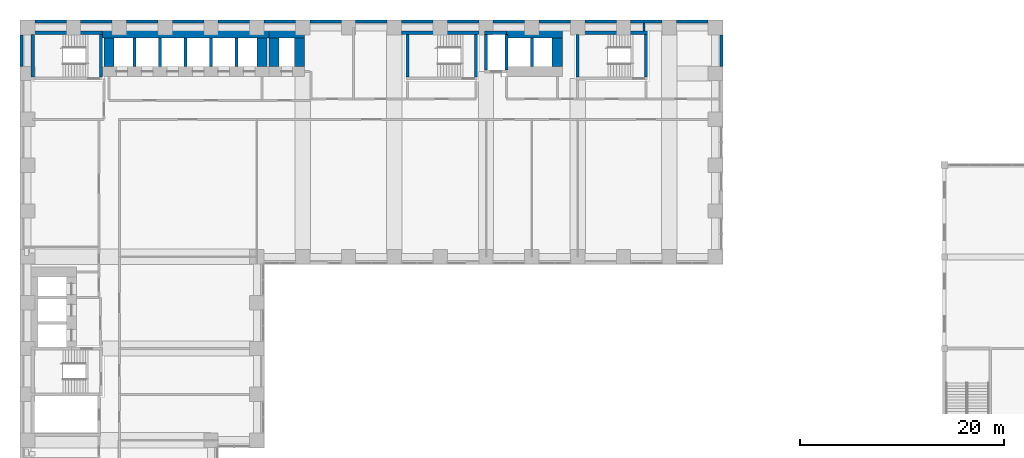
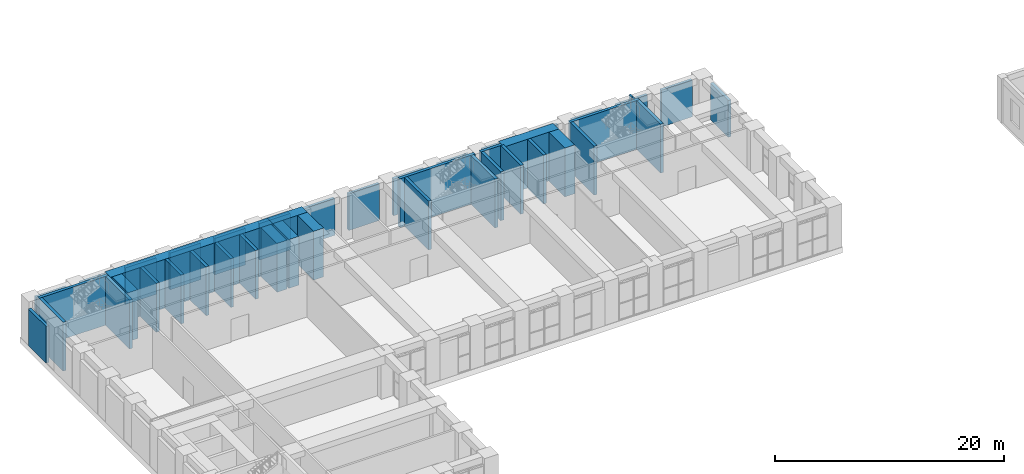
# One storey, part 21 of 30: 45 walls.
"""IFC4 building model written with IfcOpenShell, lengths in metres."""

from ifc_helpers import new_model, si_unit, direction, frame, frame_2d, origin, place, context, subcontext, project, spatial, rectangle, extrude, material, layer, layer_set, type_object, element, save


model = new_model("IFC4")

# Units and contexts
model_context = context("Model", 3, precision=1e-05, world=origin(), true_north=direction((0.0, 1.0)))
body_context = subcontext(model_context, "Body", "Model", "MODEL_VIEW")
ifc_project = project(units=[si_unit("LENGTHUNIT", "METRE"), si_unit("AREAUNIT", "SQUARE_METRE"), si_unit("VOLUMEUNIT", "CUBIC_METRE"), si_unit("PLANEANGLEUNIT", "RADIAN"), si_unit("MASSUNIT", "GRAM", prefix="KILO")], contexts=[model_context])

# Site, building, storey
site_placement = place(None, origin())
site = spatial("IfcSite", under=ifc_project, at=site_placement, CompositionType="ELEMENT")
building_placement = place(site_placement, origin())
building = spatial("IfcBuilding", under=site, at=building_placement, Name="Firuza Court", CompositionType="ELEMENT")
storey_placement = place(building_placement, frame((0.0, 0.0, 9.0)))
storey = spatial("IfcBuildingStorey", under=building, at=storey_placement, Name="L01", CompositionType="ELEMENT", Elevation=9.0)

# Walls
ifc_material_1 = material(Name="Concrete C60/75", Category="concrete")
ifc_layer_1 = layer(ifc_material_1, 1.0)
ifc_layer_set_1 = layer_set([ifc_layer_1], Name="Concrete C60/75")
wall_type_1 = type_object("IfcWallType", Name="Core wall 1000 C60/75", PredefinedType="SHEAR", material=ifc_layer_set_1)
wall_1_placement = place(storey_placement, frame((7.35009765625, 58.0, -0.60009765625), z_axis=(0.0, 0.0, 1.0), x_axis=(1.0, 0.0, 0.0)))
element("IfcWall", 1, at=wall_1_placement, inside=storey, type_object=wall_type_1, Name="Core wall lift shaft L01", PredefinedType="SHEAR", context=body_context, shape_type="SweptSolid", body=[
    extrude(rectangle(XDim=16.349853515625, YDim=1.0, at=frame_2d((8.1748046875, 0.0))), origin(), (0.0, 0.0, 1.0), 5.2001953125),
])
for number, where, z_axis, x_axis, name in (
    (2, (8.0, 54.699951171875, -0.60009765625), (0.0, 0.0, 1.0), (0.0, 1.0, 0.0), "Core wall lift shaft L01"),
    (3, (23.0, 54.699951171875, -0.60009765625), (0.0, 0.0, 1.0), (0.0, 1.0, 0.0), "Core wall lift shaft L01"),
):
    element("IfcWall", number, at=place(storey_placement, frame(where, z_axis=z_axis, x_axis=x_axis)), inside=storey, type_object=wall_type_1, Name=name, PredefinedType="SHEAR", context=body_context, shape_type="SweptSolid", body=[
        extrude(rectangle(XDim=2.800048828125, YDim=1.0, at=frame_2d((1.39990234375, 0.0))), origin(), (0.0, 0.0, 1.0), 5.2001953125),
    ])
wall_2_placement = place(storey_placement, frame((23.699951171875, 58.0, -0.60009765625), z_axis=(0.0, 0.0, 1.0), x_axis=(1.0, 0.0, 0.0)))
element("IfcWall", 4, at=wall_2_placement, inside=storey, type_object=wall_type_1, Name="Core wall lift shaft L01", PredefinedType="SHEAR", context=body_context, shape_type="SweptSolid", body=[
    extrude(rectangle(XDim=3.5, YDim=1.0, at=frame_2d((1.75, 0.0))), origin(), (0.0, 0.0, 1.0), 5.2001953125),
])
for number, where, z_axis, x_axis, name in (
    (5, (24.199951171875, 54.699951171875, -0.60009765625), (0.0, 0.0, 1.0), (0.0, 1.0, 0.0), "Core wall lift shaft L01"),
    (6, (26.699951171875, 54.699951171875, -0.60009765625), (0.0, 0.0, 1.0), (0.0, 1.0, 0.0), "Core wall lift shaft L01"),
):
    element("IfcWall", number, at=place(storey_placement, frame(where, z_axis=z_axis, x_axis=x_axis)), inside=storey, type_object=wall_type_1, Name=name, PredefinedType="SHEAR", context=body_context, shape_type="SweptSolid", body=[
        extrude(rectangle(XDim=2.800048828125, YDim=1.0, at=frame_2d((1.39990234375, 0.0))), origin(), (0.0, 0.0, 1.0), 5.2001953125),
    ])
wall_3_placement = place(storey_placement, frame((47.0, 58.0, -0.60009765625), z_axis=(0.0, 0.0, 1.0), x_axis=(1.0, 0.0, 0.0)))
element("IfcWall", 7, at=wall_3_placement, inside=storey, type_object=wall_type_1, Name="Core wall lift shaft L01", PredefinedType="SHEAR", context=body_context, shape_type="SweptSolid", body=[
    extrude(rectangle(XDim=5.5, YDim=1.0, at=frame_2d((2.75, 0.0))), origin(), (0.0, 0.0, 1.0), 5.2001953125),
])
wall_4_placement = place(storey_placement, frame((52.0, 54.699951171875, -0.60009765625), z_axis=(0.0, 0.0, 1.0), x_axis=(0.0, 1.0, 0.0)))
element("IfcWall", 8, at=wall_4_placement, inside=storey, type_object=wall_type_1, Name="Core wall lift shaft L01", PredefinedType="SHEAR", context=body_context, shape_type="SweptSolid", body=[
    extrude(rectangle(XDim=2.800048828125, YDim=1.0, at=frame_2d((1.39990234375, 0.0))), origin(), (0.0, 0.0, 1.0), 5.2001953125),
])
ifc_layer_2 = layer(ifc_material_1, 0.300048828125)
ifc_layer_set_2 = layer_set([ifc_layer_2], Name="Concrete C60/75")
wall_type_2 = type_object("IfcWallType", Name="Core wall 300 C60/75", PredefinedType="SHEAR", material=ifc_layer_set_2)
wall_5_placement = place(storey_placement, frame((0.35009765625, 58.0, -0.60009765625), z_axis=(0.0, 0.0, 1.0), x_axis=(1.0, 0.0, 0.0)))
element("IfcWall", 9, at=wall_5_placement, inside=storey, type_object=wall_type_2, Name="Core wall stair L01", PredefinedType="SHEAR", context=body_context, shape_type="SweptSolid", body=[
    extrude(rectangle(XDim=7.0, YDim=0.300048828125, at=frame_2d((3.5, 0.0))), origin(), (0.0, 0.0, 1.0), 5.2001953125),
])
for number, where, z_axis, x_axis, name in (
    (10, (0.5, 53.64990234375, -0.60009765625), (0.0, 0.0, 1.0), (0.0, 1.0, 0.0), "Core wall stair L01"),
    (11, (7.199951171875, 53.64990234375, -0.60009765625), (0.0, 0.0, 1.0), (0.0, 1.0, 0.0), "Core wall stair L01"),
):
    element("IfcWall", number, at=place(storey_placement, frame(where, z_axis=z_axis, x_axis=x_axis)), inside=storey, type_object=wall_type_2, Name=name, PredefinedType="SHEAR", context=body_context, shape_type="SweptSolid", body=[
        extrude(rectangle(XDim=4.2001953125, YDim=0.300048828125, at=frame_2d((2.10009765625, 0.0))), origin(), (0.0, 0.0, 1.0), 5.2001953125),
    ])
for number, where, z_axis, x_axis, name in (
    (12, (10.5, 54.699951171875, -0.60009765625), (0.0, 0.0, 1.0), (0.0, 1.0, 0.0), "Core wall lift shaft L01"),
    (13, (13.0, 54.699951171875, -0.60009765625), (0.0, 0.0, 1.0), (0.0, 1.0, 0.0), "Core wall lift shaft L01"),
    (14, (15.5, 54.699951171875, -0.60009765625), (0.0, 0.0, 1.0), (0.0, 1.0, 0.0), "Core wall lift shaft L01"),
    (15, (18.0, 54.699951171875, -0.60009765625), (0.0, 0.0, 1.0), (0.0, 1.0, 0.0), "Core wall lift shaft L01"),
    (16, (20.5, 54.699951171875, -0.60009765625), (0.0, 0.0, 1.0), (0.0, 1.0, 0.0), "Core wall lift shaft L01"),
):
    element("IfcWall", number, at=place(storey_placement, frame(where, z_axis=z_axis, x_axis=x_axis)), inside=storey, type_object=wall_type_2, Name=name, PredefinedType="SHEAR", context=body_context, shape_type="SweptSolid", body=[
        extrude(rectangle(XDim=2.800048828125, YDim=0.300048828125, at=frame_2d((1.39990234375, 0.0))), origin(), (0.0, 0.0, 1.0), 5.2001953125),
    ])
wall_6_placement = place(storey_placement, frame((36.699951171875, 58.0, -0.60009765625), z_axis=(0.0, 0.0, 1.0), x_axis=(1.0, 0.0, 0.0)))
element("IfcWall", 17, at=wall_6_placement, inside=storey, type_object=wall_type_2, Name="Core wall stair L01", PredefinedType="SHEAR", context=body_context, shape_type="SweptSolid", body=[
    extrude(rectangle(XDim=7.60009765625, YDim=0.300048828125, at=frame_2d((3.800048828125, 0.0))), origin(), (0.0, 0.0, 1.0), 5.2001953125),
])
for number, where, z_axis, x_axis, name in (
    (18, (37.300048828125, 53.64990234375, -0.60009765625), (0.0, 0.0, 1.0), (0.0, 1.0, 0.0), "Core wall stair L01"),
    (19, (44.0, 53.64990234375, -0.60009765625), (0.0, 0.0, 1.0), (0.0, 1.0, 0.0), "Core wall stair L01"),
):
    element("IfcWall", number, at=place(storey_placement, frame(where, z_axis=z_axis, x_axis=x_axis)), inside=storey, type_object=wall_type_2, Name=name, PredefinedType="SHEAR", context=body_context, shape_type="SweptSolid", body=[
        extrude(rectangle(XDim=4.2001953125, YDim=0.300048828125, at=frame_2d((2.10009765625, 0.0))), origin(), (0.0, 0.0, 1.0), 5.2001953125),
    ])
wall_7_placement = place(storey_placement, frame((44.85009765625, 58.0, -0.60009765625), z_axis=(0.0, 0.0, 1.0), x_axis=(1.0, 0.0, 0.0)))
element("IfcWall", 20, at=wall_7_placement, inside=storey, type_object=wall_type_2, Name="Core wall riser L01", PredefinedType="SHEAR", context=body_context, shape_type="SweptSolid", body=[
    extrude(rectangle(XDim=2.14990234375, YDim=0.300048828125, at=frame_2d((1.074951171875, 0.0))), origin(), (0.0, 0.0, 1.0), 5.2001953125),
])
for number, where, z_axis, x_axis, name in (
    (21, (45.0, 54.35009765625, -0.60009765625), (0.0, 0.0, 1.0), (0.0, 1.0, 0.0), "Core wall riser L01"),
    (22, (47.0, 54.35009765625, -0.60009765625), (0.0, 0.0, 1.0), (0.0, 1.0, 0.0), "Core wall lift shaft L01"),
):
    element("IfcWall", number, at=place(storey_placement, frame(where, z_axis=z_axis, x_axis=x_axis)), inside=storey, type_object=wall_type_2, Name=name, PredefinedType="SHEAR", context=body_context, shape_type="SweptSolid", body=[
        extrude(rectangle(XDim=3.5, YDim=0.300048828125, at=frame_2d((1.75, 0.0))), origin(), (0.0, 0.0, 1.0), 5.2001953125),
    ])
wall_8_placement = place(storey_placement, frame((49.5, 54.699951171875, -0.60009765625), z_axis=(0.0, 0.0, 1.0), x_axis=(0.0, 1.0, 0.0)))
element("IfcWall", 23, at=wall_8_placement, inside=storey, type_object=wall_type_2, Name="Core wall lift shaft L01", PredefinedType="SHEAR", context=body_context, shape_type="SweptSolid", body=[
    extrude(rectangle(XDim=2.800048828125, YDim=0.300048828125, at=frame_2d((1.39990234375, 0.0))), origin(), (0.0, 0.0, 1.0), 5.2001953125),
])
wall_9_placement = place(storey_placement, frame((53.85009765625, 58.0, -0.60009765625), z_axis=(0.0, 0.0, 1.0), x_axis=(1.0, 0.0, 0.0)))
element("IfcWall", 24, at=wall_9_placement, inside=storey, type_object=wall_type_2, Name="Core wall stair L01", PredefinedType="SHEAR", context=body_context, shape_type="SweptSolid", body=[
    extrude(rectangle(XDim=7.0, YDim=0.300048828125, at=frame_2d((3.5, 0.0))), origin(), (0.0, 0.0, 1.0), 5.2001953125),
])
for number, where, z_axis, x_axis, name in (
    (25, (54.0, 53.64990234375, -0.60009765625), (0.0, 0.0, 1.0), (0.0, 1.0, 0.0), "Core wall stair L01"),
    (26, (60.699951171875, 53.64990234375, -0.60009765625), (0.0, 0.0, 1.0), (0.0, 1.0, 0.0), "Core wall stair L01"),
):
    element("IfcWall", number, at=place(storey_placement, frame(where, z_axis=z_axis, x_axis=x_axis)), inside=storey, type_object=wall_type_2, Name=name, PredefinedType="SHEAR", context=body_context, shape_type="SweptSolid", body=[
        extrude(rectangle(XDim=4.2001953125, YDim=0.300048828125, at=frame_2d((2.10009765625, 0.0))), origin(), (0.0, 0.0, 1.0), 5.2001953125),
    ])
ifc_material_2 = material(Name="Blockwork, fire-rated", Category="masonry")
ifc_layer_3 = layer(ifc_material_2, 0.199951171875)
ifc_layer_set_3 = layer_set([ifc_layer_3], Name="Blockwork, fire-rated")
wall_type_3 = type_object("IfcWallType", Name="Plant room wall 200", PredefinedType="PARTITIONING", material=ifc_layer_set_3)
wall_10_placement = place(storey_placement, frame((60.5, 58.14990234375, 0.0), z_axis=(0.0, 0.0, 1.0), x_axis=(0.0, 1.0, 0.0)))
element("IfcWall", 27, at=wall_10_placement, inside=storey, type_object=wall_type_3, Name="Plant room wall 200 L01", PredefinedType="PARTITIONING", context=body_context, shape_type="SweptSolid", body=[
    extrude(rectangle(XDim=0.35009765625, YDim=0.199951171875, at=frame_2d((0.175048828125, 0.0))), origin(), (0.0, 0.0, 1.0), 4.60009765625),
])
wall_11_placement = place(storey_placement, frame((60.5, 58.5, 0.0), z_axis=(0.0, 0.0, 1.0), x_axis=(0.0, 1.0, 0.0)))
element("IfcWall", 28, at=wall_11_placement, inside=storey, type_object=wall_type_3, Name="Plant room wall 200 L01", PredefinedType="PARTITIONING", context=body_context, shape_type="SweptSolid", body=[
    extrude(rectangle(XDim=0.449951171875, YDim=0.199951171875, at=frame_2d((0.22509765625, 0.0))), origin(), (0.0, 0.0, 1.0), 4.60009765625),
])
ifc_material_3 = material(Name="Ceramic tile", Category="ceramic")
ifc_layer_4 = layer(ifc_material_3, 0.02001953125)
ifc_material_4 = material(Name="Mineral wool insulation", Category="insulation")
ifc_layer_5 = layer(ifc_material_4, 0.1298828125)
ifc_material_5 = material(Name="Concrete C40/50 precast", Category="concrete")
ifc_layer_6 = layer(ifc_material_5, 0.14990234375)
ifc_layer_set_4 = layer_set([ifc_layer_4, ifc_layer_5, ifc_layer_6], Name="Concrete C40/50 precast")
wall_type_4 = type_object("IfcWallType", Name="Precast spandrel wall with turquoise TILE PANEL face 300", PredefinedType="STANDARD", material=ifc_layer_set_4)
for number, where, z_axis, x_axis, name in (
    (29, (68.10009765625, 54.699951171875, 0.0), (0.0, 0.0, 1.0), (0.0, 1.0, 0.0), "Facade wall L01 E"),
    (30, (66.800048828125, 59.10009765625, 0.0), (0.0, 0.0, 1.0), (-1.0, 0.0, 0.0), "Facade wall L01 N"),
    (31, (62.300048828125, 59.10009765625, 0.0), (0.0, 0.0, 1.0), (-1.0, 0.0, 0.0), "Facade wall L01 N"),
    (32, (57.800048828125, 59.10009765625, 0.0), (0.0, 0.0, 1.0), (-1.0, 0.0, 0.0), "Facade wall L01 N"),
    (33, (53.300048828125, 59.10009765625, 0.0), (0.0, 0.0, 1.0), (-1.0, 0.0, 0.0), "Facade wall L01 N"),
    (34, (48.800048828125, 59.10009765625, 0.0), (0.0, 0.0, 1.0), (-1.0, 0.0, 0.0), "Facade wall L01 N"),
    (35, (44.300048828125, 59.10009765625, 0.0), (0.0, 0.0, 1.0), (-1.0, 0.0, 0.0), "Facade wall L01 N"),
    (36, (39.800048828125, 59.10009765625, 0.0), (0.0, 0.0, 1.0), (-1.0, 0.0, 0.0), "Facade wall L01 N"),
    (37, (35.300048828125, 59.10009765625, 0.0), (0.0, 0.0, 1.0), (-1.0, 0.0, 0.0), "Facade wall L01 N"),
    (38, (30.800048828125, 59.10009765625, 0.0), (0.0, 0.0, 1.0), (-1.0, 0.0, 0.0), "Facade wall L01 N"),
    (39, (26.300048828125, 59.10009765625, 0.0), (0.0, 0.0, 1.0), (-1.0, 0.0, 0.0), "Facade wall L01 N"),
    (40, (21.800048828125, 59.10009765625, 0.0), (0.0, 0.0, 1.0), (-1.0, 0.0, 0.0), "Facade wall L01 N"),
    (41, (17.300048828125, 59.10009765625, 0.0), (0.0, 0.0, 1.0), (-1.0, 0.0, 0.0), "Facade wall L01 N"),
    (42, (12.800048828125, 59.10009765625, 0.0), (0.0, 0.0, 1.0), (-1.0, 0.0, 0.0), "Facade wall L01 N"),
    (43, (8.300048828125, 59.10009765625, 0.0), (0.0, 0.0, 1.0), (-1.0, 0.0, 0.0), "Facade wall L01 N"),
    (44, (3.800048828125, 59.10009765625, 0.0), (0.0, 0.0, 1.0), (-1.0, 0.0, 0.0), "Facade wall L01 N"),
    (45, (-0.60009765625, 57.800048828125, 0.0), (0.0, 0.0, 1.0), (0.0, -1.0, 0.0), "Facade wall L01 W"),
):
    element("IfcWall", number, at=place(storey_placement, frame(where, z_axis=z_axis, x_axis=x_axis)), inside=storey, type_object=wall_type_4, Name=name, PredefinedType="STANDARD", context=body_context, shape_type="SweptSolid", body=[
        extrude(rectangle(XDim=3.10009765625, YDim=0.300048828125, at=frame_2d((1.550048828125, 0.0))), origin(), (0.0, 0.0, 1.0), 3.89990234375),
    ])

save(model, "model.ifc")
